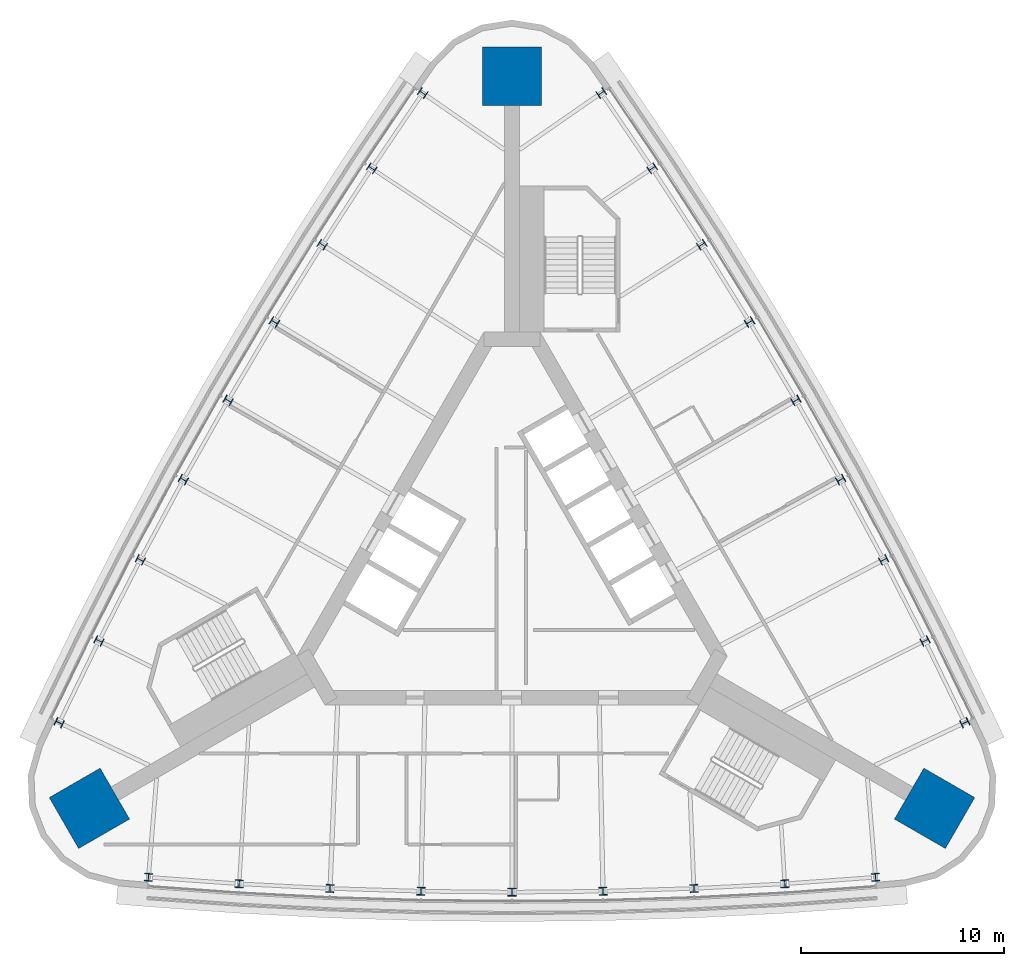
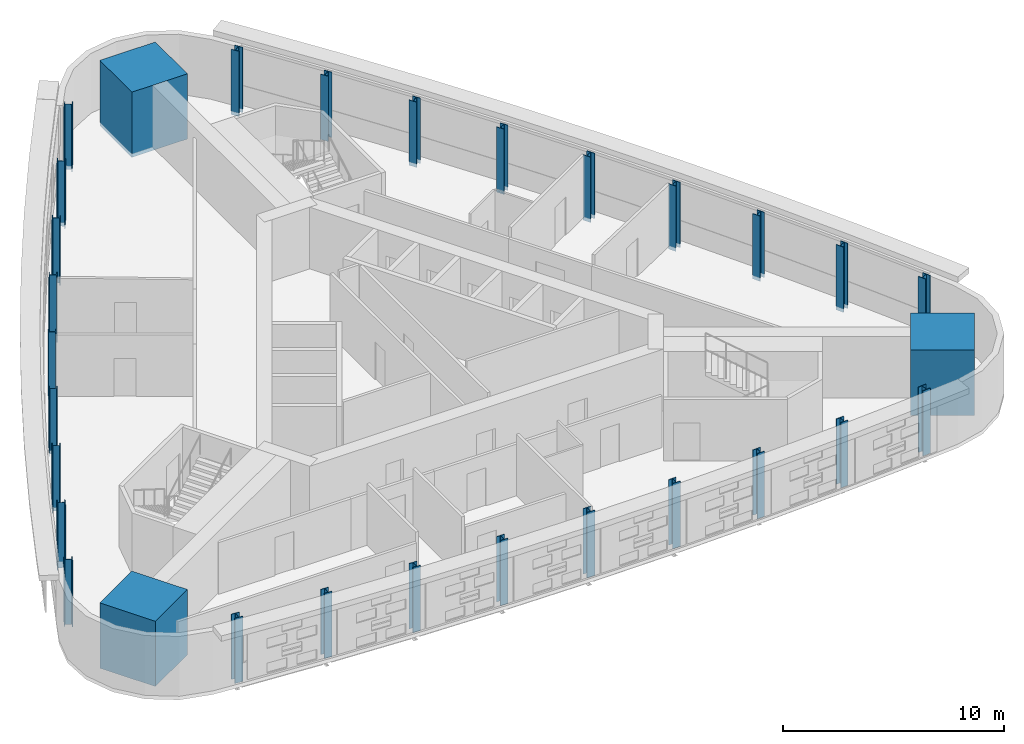
# One storey, part 1 of 13: 30 columns.
"""IFC4 building model written with IfcOpenShell, lengths in metres."""

from ifc_helpers import new_model, si_unit, direction, frame, origin, origin_2d, place, context, subcontext, project, spatial, rectangle, i_section, extrude, material, material_profile, profile_set, type_object, element, save


model = new_model("IFC4")

# Units and contexts
model_context = context("Model", 3, precision=1e-05, world=origin(), true_north=direction((0.0, 1.0)))
body_context = subcontext(model_context, "Body", "Model", "MODEL_VIEW")
ifc_project = project(units=[si_unit("LENGTHUNIT", "METRE"), si_unit("AREAUNIT", "SQUARE_METRE"), si_unit("VOLUMEUNIT", "CUBIC_METRE"), si_unit("PLANEANGLEUNIT", "RADIAN"), si_unit("MASSUNIT", "GRAM", prefix="KILO")], contexts=[model_context])

# Site, building, storey
site_placement = place(None, origin())
site = spatial("IfcSite", under=ifc_project, at=site_placement, CompositionType="ELEMENT")
building_placement = place(site_placement, origin())
building = spatial("IfcBuilding", under=site, at=building_placement, Name="Noor Cloister Tower", CompositionType="ELEMENT")
storey_placement = place(building_placement, frame((0.0, 0.0, 143.699951171875)))
storey = spatial("IfcBuildingStorey", under=building, at=storey_placement, Name="L36", CompositionType="ELEMENT", Elevation=143.699951171875)

# Columns
ifc_material_1 = material(Name="Steel ASTM A992 Gr 50", Category="steel")
ifc_material_profile_1 = material_profile(ifc_material_1, i_section(OverallWidth=0.39892578125, OverallDepth=0.385986328125, WebThickness=0.02099609375, FlangeThickness=0.033203125, FilletRadius=0.01513671875, at=origin_2d()), Name="W360x262")
ifc_profile_set_1 = profile_set([ifc_material_profile_1], Name="Steel ASTM A992 Gr 50")
column_type_1 = type_object("IfcColumnType", Name="Column W360x262", PredefinedType="COLUMN", material=ifc_profile_set_1)
for number, where, z_axis, x_axis, name in (
    (1, (-4.401123046875, 23.250244140625, -0.199951171875), (0.0, 0.0, 1.0), (-0.569265618593, -0.822153669023, 0.0), "Column NW 01 L36"),
    (2, (-6.91845703125, 19.533935546875, -0.199951171875), (0.0, 0.0, 1.0), (-0.552290209593, -0.8336519204, 0.0), "Column NW 02 L36"),
    (3, (-9.35888671875, 15.766845703125, -0.199951171875), (0.0, 0.0, 1.0), (-0.535082631987, -0.844799725939, 0.0), "Column NW 03 L36"),
    (4, (-11.7216796875, 11.950439453125, -0.199951171875), (0.0, 0.0, 1.0), (-0.517650119395, -0.855592399388, 0.0), "Column NW 04 L36"),
    (5, (-14.005859375, 8.086181640625, -0.199951171875), (0.0, 0.0, 1.0), (-0.5, -0.866025403784, 0.0), "Column NW 05 L36"),
    (6, (-16.210205078125, 4.17626953125, -0.199951171875), (0.0, 0.0, 1.0), (-0.482139693457, -0.876094353362, 0.0), "Column NW 06 L36"),
    (7, (-18.333984375, 0.2216796875, -0.199951171875), (0.0, 0.0, 1.0), (-0.46407670778, -0.885795015394, 0.0), "Column NW 07 L36"),
    (8, (-20.3759765625, -3.775390625, -0.199951171875), (0.0, 0.0, 1.0), (-0.445818636184, -0.89512331197, 0.0), "Column NW 08 L36"),
    (9, (-22.3359375, -7.813720703125, -0.199951171875), (0.0, 0.0, 1.0), (-0.427373153892, -0.904075321714, 0.0), "Column NW 09 L36"),
    (10, (-17.934814453125, -15.436767578125, -0.199951171875), (0.0, 0.0, 1.0), (0.996638772485, -0.081921652691, 0.0), "Column S 01 L36"),
    (11, (-13.457763671875, -15.758544921875, -0.199951171875), (0.0, 0.0, 1.0), (0.998108845777, -0.061471391569, 0.0), "Column S 02 L36"),
    (12, (-8.974853515625, -15.988525390625, -0.199951171875), (0.0, 0.0, 1.0), (0.999159339766, -0.040995289455, 0.0), "Column S 03 L36"),
    (13, (-4.488525390625, -16.12646484375, -0.199951171875), (0.0, 0.0, 1.0), (0.999789812852, -0.020501953975, 0.0), "Column S 04 L36"),
    (14, (0.0, -16.172607421875, -0.199951171875), (0.0, 0.0, 1.0), (1.0, 0.0, 0.0), "Column S 05 L36"),
    (15, (4.488525390625, -16.12646484375, -0.199951171875), (0.0, 0.0, 1.0), (0.999789812852, 0.020501953975, 0.0), "Column S 06 L36"),
    (16, (8.974853515625, -15.988525390625, -0.199951171875), (0.0, 0.0, 1.0), (0.999159339766, 0.040995289455, 0.0), "Column S 07 L36"),
    (17, (13.457763671875, -15.758544921875, -0.199951171875), (0.0, 0.0, 1.0), (0.998108845777, 0.061471391569, 0.0), "Column S 08 L36"),
    (18, (17.934814453125, -15.436767578125, -0.199951171875), (0.0, 0.0, 1.0), (0.996638772485, 0.081921652691, 0.0), "Column S 09 L36"),
    (19, (22.3359375, -7.813720703125, -0.199951171875), (0.0, 0.0, 1.0), (-0.427373153892, 0.904075321714, 0.0), "Column NE 01 L36"),
    (20, (20.3759765625, -3.775390625, -0.199951171875), (0.0, 0.0, 1.0), (-0.445818636184, 0.89512331197, 0.0), "Column NE 02 L36"),
    (21, (18.333984375, 0.2216796875, -0.199951171875), (0.0, 0.0, 1.0), (-0.46407670778, 0.885795015394, 0.0), "Column NE 03 L36"),
    (22, (16.210205078125, 4.17626953125, -0.199951171875), (0.0, 0.0, 1.0), (-0.482139693457, 0.876094353362, 0.0), "Column NE 04 L36"),
    (23, (14.005859375, 8.086181640625, -0.199951171875), (0.0, 0.0, 1.0), (-0.5, 0.866025403784, 0.0), "Column NE 05 L36"),
    (24, (11.7216796875, 11.950439453125, -0.199951171875), (0.0, 0.0, 1.0), (-0.517650119395, 0.855592399388, 0.0), "Column NE 06 L36"),
    (25, (9.35888671875, 15.766845703125, -0.199951171875), (0.0, 0.0, 1.0), (-0.535082631987, 0.844799725939, 0.0), "Column NE 07 L36"),
    (26, (6.91845703125, 19.533935546875, -0.199951171875), (0.0, 0.0, 1.0), (-0.552290209593, 0.8336519204, 0.0), "Column NE 08 L36"),
    (27, (4.401123046875, 23.250244140625, -0.199951171875), (0.0, 0.0, 1.0), (-0.569265618593, 0.822153669023, 0.0), "Column NE 09 L36"),
):
    element("IfcColumn", number, at=place(storey_placement, frame(where, z_axis=z_axis, x_axis=x_axis)), inside=storey, type_object=column_type_1, Name=name, PredefinedType="COLUMN", context=body_context, shape_type="SweptSolid", body=[
        extrude(i_section(OverallWidth=0.39892578125, OverallDepth=0.385986328125, WebThickness=0.02099609375, FlangeThickness=0.033203125, FilletRadius=0.01513671875, at=origin_2d()), origin(), (0.0, 0.0, 1.0), 3.60009765625),
    ])
ifc_material_2 = material(Name="Concrete C70/85", Category="concrete")
ifc_material_profile_2 = material_profile(ifc_material_2, rectangle(XDim=2.89990234375, YDim=2.89990234375, at=origin_2d()), Name="RC 2900x2900")
ifc_profile_set_2 = profile_set([ifc_material_profile_2], Name="Concrete C70/85")
column_type_2 = type_object("IfcColumnType", Name="Corner pier 2900 x 2900 C70/85", PredefinedType="COLUMN", material=ifc_profile_set_2)
for number, where, z_axis, x_axis, name in (
    (28, (0.0, 24.072998046875, -0.199951171875), (0.0, 0.0, 1.0), (0.0, 1.0, 0.0), "Corner pier N L36"),
    (29, (-20.847900390625, -12.03662109375, -0.199951171875), (0.0, 0.0, 1.0), (-0.866025403784, -0.5, 0.0), "Corner pier SW L36"),
    (30, (20.847900390625, -12.03662109375, -0.199951171875), (0.0, 0.0, 1.0), (0.866025403784, -0.5, 0.0), "Corner pier SE L36"),
):
    element("IfcColumn", number, at=place(storey_placement, frame(where, z_axis=z_axis, x_axis=x_axis)), inside=storey, type_object=column_type_2, Name=name, PredefinedType="COLUMN", context=body_context, shape_type="SweptSolid", body=[
        extrude(rectangle(XDim=2.89990234375, YDim=2.89990234375, at=origin_2d()), origin(), (0.0, 0.0, 1.0), 3.60009765625),
    ])

save(model, "model.ifc")
